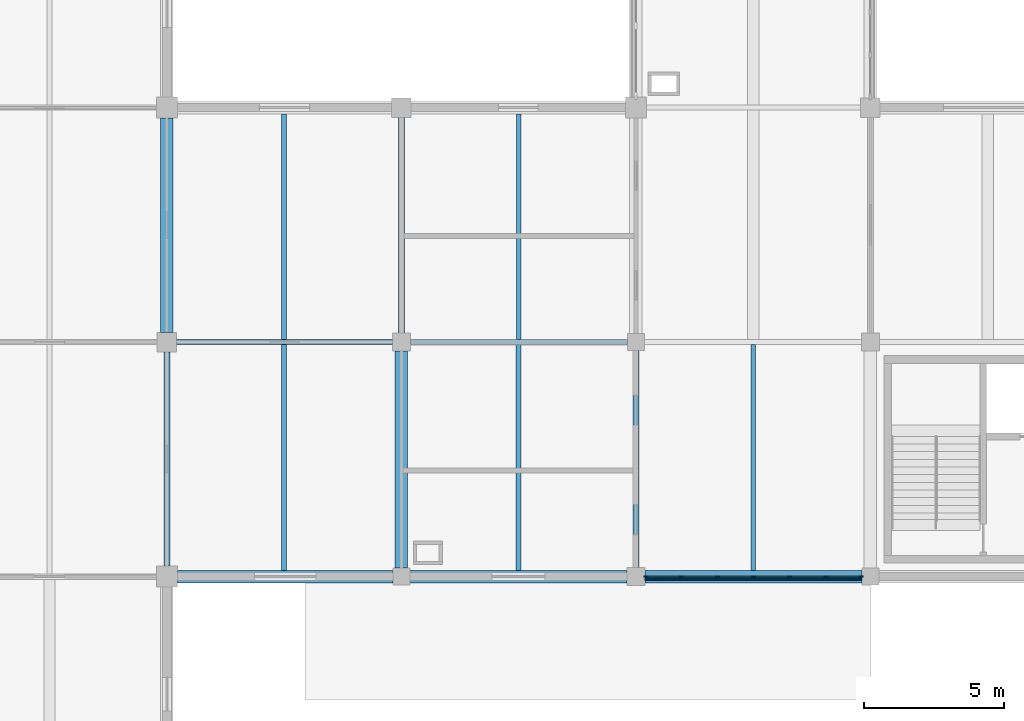
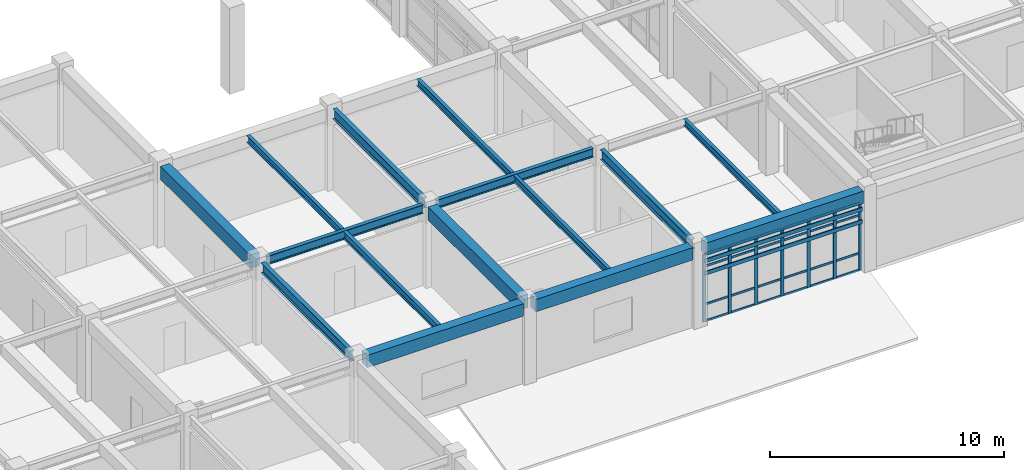
# One storey, part 5 of 78: 33 members, 15 beams, 1 element without a shape of its own.
"""IFC4 building model written with IfcOpenShell, lengths in metres."""

from ifc_helpers import new_model, si_unit, direction, frame, origin, origin_2d, place, context, subcontext, project, spatial, rectangle, i_section, extrude, material, layer, layer_set, material_profile, profile_set, type_object, element, aggregate, save


model = new_model("IFC4")

# Units and contexts
model_context = context("Model", 3, precision=1e-05, world=origin(), true_north=direction((0.0, 1.0)))
body_context = subcontext(model_context, "Body", "Model", "MODEL_VIEW")
ifc_project = project(units=[si_unit("LENGTHUNIT", "METRE"), si_unit("AREAUNIT", "SQUARE_METRE"), si_unit("VOLUMEUNIT", "CUBIC_METRE"), si_unit("PLANEANGLEUNIT", "RADIAN"), si_unit("MASSUNIT", "GRAM", prefix="KILO")], contexts=[model_context])

# Site, building, storey
site_placement = place(None, origin())
site = spatial("IfcSite", under=ifc_project, at=site_placement, CompositionType="ELEMENT")
building_placement = place(site_placement, origin())
building = spatial("IfcBuilding", under=site, at=building_placement, Name="Porcellanite Civic Hall", CompositionType="ELEMENT")
storey_placement = place(building_placement, frame((0.0, 0.0, 10.260009765625)))
storey = spatial("IfcBuildingStorey", under=building, at=storey_placement, Name="L02", CompositionType="ELEMENT", Elevation=10.260009765625)

# Beams
ifc_material_1 = material(Name="Concrete N50 (50 MPa)", Category="concrete")
ifc_material_profile_1 = material_profile(ifc_material_1, rectangle(XDim=0.449951171875, YDim=0.64990234375, at=origin_2d()), Name="RC-450x650")
ifc_profile_set_1 = profile_set([ifc_material_profile_1], Name="Concrete N50 (50 MPa)")
beam_type_1 = type_object("IfcBeamType", Name="BM-RC650", PredefinedType="SPANDREL", material=ifc_profile_set_1)
beam_1_placement = place(storey_placement, frame((33.974609375, 50.39990234375, 3.9150390625), z_axis=(1.0, 0.0, 0.0), x_axis=(0.0, 1.0, 0.0)))
element("IfcBeam", 1, at=beam_1_placement, inside=storey, type_object=beam_type_1, Name="Beam X L02 5-7", PredefinedType="SPANDREL", context=body_context, shape_type="SweptSolid", body=[
    extrude(rectangle(XDim=0.449951171875, YDim=0.64990234375, at=origin_2d()), origin(), (0.0, 0.0, 1.0), 7.725830078125),
])
for number, where, z_axis, x_axis, name in (
    (2, (42.299560546875, 50.39990234375, 3.9150390625), (1.0, 0.0, 0.0), (0.0, 1.0, 0.0), "Beam X L02 6-7"),
    (3, (50.724609375, 50.39990234375, 3.9150390625), (1.0, 0.0, 0.0), (0.0, 1.0, 0.0), "Beam X L02 7-7"),
):
    element("IfcBeam", number, at=place(storey_placement, frame(where, z_axis=z_axis, x_axis=x_axis)), inside=storey, type_object=beam_type_1, Name=name, PredefinedType="SPANDREL", context=body_context, shape_type="SweptSolid", body=[
        extrude(rectangle(XDim=0.449951171875, YDim=0.64990234375, at=origin_2d()), origin(), (0.0, 0.0, 1.0), 7.77587890625),
    ])
ifc_material_2 = material(Name="Concrete N50 (50 MPa)", Category="concrete")
ifc_material_profile_2 = material_profile(ifc_material_2, rectangle(XDim=0.449951171875, YDim=0.699951171875, at=origin_2d()), Name="RC-450x700")
ifc_profile_set_2 = profile_set([ifc_material_profile_2], Name="Concrete N50 (50 MPa)")
beam_type_2 = type_object("IfcBeamType", Name="BM-RC700", PredefinedType="BEAM", material=ifc_profile_set_2)
beam_2_placement = place(storey_placement, frame((33.60009765625, 59.1494140625, 3.889892578125), z_axis=(0.0, 1.0, 0.0), x_axis=(-1.0, 0.0, 0.0)))
element("IfcBeam", 4, at=beam_2_placement, inside=storey, type_object=beam_type_2, Name="Beam Y L02 5-8", PredefinedType="BEAM", context=body_context, shape_type="SweptSolid", body=[
    extrude(rectangle(XDim=0.449951171875, YDim=0.699951171875, at=origin_2d()), origin(), (0.0, 0.0, 1.0), 7.676025390625),
])
beam_3_placement = place(storey_placement, frame((42.0, 50.699462890625, 3.889892578125), z_axis=(0.0, 1.0, 0.0), x_axis=(-1.0, 0.0, 0.0)))
element("IfcBeam", 5, at=beam_3_placement, inside=storey, type_object=beam_type_2, Name="Beam Y L02 6-7", PredefinedType="BEAM", context=body_context, shape_type="SweptSolid", body=[
    extrude(rectangle(XDim=0.449951171875, YDim=0.699951171875, at=origin_2d()), origin(), (0.0, 0.0, 1.0), 7.776123046875),
])

# Curtain wall, members
ifc_material_3 = material(Name="Anodised aluminium and solar laminated glass", Category="aluminium")
ifc_layer = layer(ifc_material_3, 0.179931640625)
ifc_layer_set = layer_set([ifc_layer], Name="Anodised aluminium and solar laminated glass")
curtain_wall_type = type_object("IfcCurtainWallType", Name="CW-SYS07", PredefinedType="NOTDEFINED", material=ifc_layer_set)
curtain_wall_placement = place(storey_placement, origin())
curtain_wall = element("IfcCurtainWall", 6, at=curtain_wall_placement, inside=storey, type_object=curtain_wall_type, Name="Curtain wall CW-141", PredefinedType="NOTDEFINED")
ifc_material_4 = material(Name="Anodised aluminium 6063-T6", Category="aluminium")
ifc_material_profile_3 = material_profile(ifc_material_4, rectangle(XDim=0.06005859375, YDim=0.159912109375, at=origin_2d()), Name="AL-60x160")
ifc_profile_set_3 = profile_set([ifc_material_profile_3], Name="Anodised aluminium 6063-T6")
member_type_1 = type_object("IfcMemberType", Name="CWM-07", PredefinedType="MULLION", material=ifc_profile_set_3)
member_1_placement = place(storey_placement, frame((58.468994140625, 50.39990234375, 0.0), z_axis=(0.0, 0.0, 1.0), x_axis=(0.0, -1.0, 0.0)))
member_1 = element("IfcMember", 7, at=member_1_placement, type_object=member_type_1, Name="CW-141 mullion 1", PredefinedType="MULLION", context=body_context, shape_type="SweptSolid", body=[
    extrude(rectangle(XDim=0.06005859375, YDim=0.159912109375, at=origin_2d()), origin(), (0.0, 0.0, 1.0), 3.5400390625),
])
member_2_placement = place(storey_placement, frame((57.20361328125, 50.39990234375, 0.0), z_axis=(0.0, 0.0, 1.0), x_axis=(0.0, -1.0, 0.0)))
member_2 = element("IfcMember", 8, at=member_2_placement, type_object=member_type_1, Name="CW-141 mullion 2", PredefinedType="MULLION", context=body_context, shape_type="SweptSolid", body=[
    extrude(rectangle(XDim=0.06005859375, YDim=0.159912109375, at=origin_2d()), origin(), (0.0, 0.0, 1.0), 3.5400390625),
])
member_3_placement = place(storey_placement, frame((55.907958984375, 50.39990234375, 0.0), z_axis=(0.0, 0.0, 1.0), x_axis=(0.0, -1.0, 0.0)))
member_3 = element("IfcMember", 9, at=member_3_placement, type_object=member_type_1, Name="CW-141 mullion 3", PredefinedType="MULLION", context=body_context, shape_type="SweptSolid", body=[
    extrude(rectangle(XDim=0.06005859375, YDim=0.159912109375, at=origin_2d()), origin(), (0.0, 0.0, 1.0), 3.5400390625),
])
member_4_placement = place(storey_placement, frame((54.612548828125, 50.39990234375, 0.0), z_axis=(0.0, 0.0, 1.0), x_axis=(0.0, -1.0, 0.0)))
member_4 = element("IfcMember", 10, at=member_4_placement, type_object=member_type_1, Name="CW-141 mullion 4", PredefinedType="MULLION", context=body_context, shape_type="SweptSolid", body=[
    extrude(rectangle(XDim=0.06005859375, YDim=0.159912109375, at=origin_2d()), origin(), (0.0, 0.0, 1.0), 3.5400390625),
])
member_5_placement = place(storey_placement, frame((53.31689453125, 50.39990234375, 0.0), z_axis=(0.0, 0.0, 1.0), x_axis=(0.0, -1.0, 0.0)))
member_5 = element("IfcMember", 11, at=member_5_placement, type_object=member_type_1, Name="CW-141 mullion 5", PredefinedType="MULLION", context=body_context, shape_type="SweptSolid", body=[
    extrude(rectangle(XDim=0.06005859375, YDim=0.159912109375, at=origin_2d()), origin(), (0.0, 0.0, 1.0), 3.5400390625),
])
member_6_placement = place(storey_placement, frame((52.021484375, 50.39990234375, 0.0), z_axis=(0.0, 0.0, 1.0), x_axis=(0.0, -1.0, 0.0)))
member_6 = element("IfcMember", 12, at=member_6_placement, type_object=member_type_1, Name="CW-141 mullion 6", PredefinedType="MULLION", context=body_context, shape_type="SweptSolid", body=[
    extrude(rectangle(XDim=0.06005859375, YDim=0.159912109375, at=origin_2d()), origin(), (0.0, 0.0, 1.0), 3.5400390625),
])
member_7_placement = place(storey_placement, frame((50.756103515625, 50.39990234375, 0.0), z_axis=(0.0, 0.0, 1.0), x_axis=(0.0, -1.0, 0.0)))
member_7 = element("IfcMember", 13, at=member_7_placement, type_object=member_type_1, Name="CW-141 mullion 7", PredefinedType="MULLION", context=body_context, shape_type="SweptSolid", body=[
    extrude(rectangle(XDim=0.06005859375, YDim=0.159912109375, at=origin_2d()), origin(), (0.0, 0.0, 1.0), 3.5400390625),
])
ifc_material_5 = material(Name="Anodised aluminium 6063-T6", Category="aluminium")
ifc_material_profile_4 = material_profile(ifc_material_5, rectangle(XDim=0.050048828125, YDim=0.110107421875, at=origin_2d()), Name="AL-50x110")
ifc_profile_set_4 = profile_set([ifc_material_profile_4], Name="Anodised aluminium 6063-T6")
member_type_2 = type_object("IfcMemberType", Name="CWT-07", PredefinedType="USERDEFINED", material=ifc_profile_set_4)
member_8_placement = place(storey_placement, frame((58.43896484375, 50.39990234375, 0.02490234375), z_axis=(-1.0, 0.0, 0.0), x_axis=(0.0, -1.0, 0.0)))
member_8 = element("IfcMember", 14, at=member_8_placement, type_object=member_type_2, Name="CW-141 transom 1.1", ObjectType="TRANSOM", PredefinedType="USERDEFINED", context=body_context, shape_type="SweptSolid", body=[
    extrude(rectangle(XDim=0.050048828125, YDim=0.110107421875, at=origin_2d()), origin(), (0.0, 0.0, 1.0), 1.20556640625),
])
member_9_placement = place(storey_placement, frame((58.43896484375, 50.39990234375, 0.89990234375), z_axis=(-1.0, 0.0, 0.0), x_axis=(0.0, -1.0, 0.0)))
member_9 = element("IfcMember", 15, at=member_9_placement, type_object=member_type_2, Name="CW-141 transom 1.2", ObjectType="TRANSOM", PredefinedType="USERDEFINED", context=body_context, shape_type="SweptSolid", body=[
    extrude(rectangle(XDim=0.050048828125, YDim=0.110107421875, at=origin_2d()), origin(), (0.0, 0.0, 1.0), 1.20556640625),
])
member_10_placement = place(storey_placement, frame((58.43896484375, 50.39990234375, 2.889892578125), z_axis=(-1.0, 0.0, 0.0), x_axis=(0.0, -1.0, 0.0)))
member_10 = element("IfcMember", 16, at=member_10_placement, type_object=member_type_2, Name="CW-141 transom 1.3", ObjectType="TRANSOM", PredefinedType="USERDEFINED", context=body_context, shape_type="SweptSolid", body=[
    extrude(rectangle(XDim=0.050048828125, YDim=0.110107421875, at=origin_2d()), origin(), (0.0, 0.0, 1.0), 1.20556640625),
])
member_11_placement = place(storey_placement, frame((58.43896484375, 50.39990234375, 3.514892578125), z_axis=(-1.0, 0.0, 0.0), x_axis=(0.0, -1.0, 0.0)))
member_11 = element("IfcMember", 17, at=member_11_placement, type_object=member_type_2, Name="CW-141 transom 1.4", ObjectType="TRANSOM", PredefinedType="USERDEFINED", context=body_context, shape_type="SweptSolid", body=[
    extrude(rectangle(XDim=0.050048828125, YDim=0.110107421875, at=origin_2d()), origin(), (0.0, 0.0, 1.0), 1.20556640625),
])
member_12_placement = place(storey_placement, frame((57.173583984375, 50.39990234375, 0.02490234375), z_axis=(-1.0, 0.0, 0.0), x_axis=(0.0, -1.0, 0.0)))
member_12 = element("IfcMember", 18, at=member_12_placement, type_object=member_type_2, Name="CW-141 transom 2.1", ObjectType="TRANSOM", PredefinedType="USERDEFINED", context=body_context, shape_type="SweptSolid", body=[
    extrude(rectangle(XDim=0.050048828125, YDim=0.110107421875, at=origin_2d()), origin(), (0.0, 0.0, 1.0), 1.235595703125),
])
member_13_placement = place(storey_placement, frame((57.173583984375, 50.39990234375, 0.89990234375), z_axis=(-1.0, 0.0, 0.0), x_axis=(0.0, -1.0, 0.0)))
member_13 = element("IfcMember", 19, at=member_13_placement, type_object=member_type_2, Name="CW-141 transom 2.2", ObjectType="TRANSOM", PredefinedType="USERDEFINED", context=body_context, shape_type="SweptSolid", body=[
    extrude(rectangle(XDim=0.050048828125, YDim=0.110107421875, at=origin_2d()), origin(), (0.0, 0.0, 1.0), 1.235595703125),
])
member_14_placement = place(storey_placement, frame((57.173583984375, 50.39990234375, 2.889892578125), z_axis=(-1.0, 0.0, 0.0), x_axis=(0.0, -1.0, 0.0)))
member_14 = element("IfcMember", 20, at=member_14_placement, type_object=member_type_2, Name="CW-141 transom 2.3", ObjectType="TRANSOM", PredefinedType="USERDEFINED", context=body_context, shape_type="SweptSolid", body=[
    extrude(rectangle(XDim=0.050048828125, YDim=0.110107421875, at=origin_2d()), origin(), (0.0, 0.0, 1.0), 1.235595703125),
])
member_15_placement = place(storey_placement, frame((57.173583984375, 50.39990234375, 3.514892578125), z_axis=(-1.0, 0.0, 0.0), x_axis=(0.0, -1.0, 0.0)))
member_15 = element("IfcMember", 21, at=member_15_placement, type_object=member_type_2, Name="CW-141 transom 2.4", ObjectType="TRANSOM", PredefinedType="USERDEFINED", context=body_context, shape_type="SweptSolid", body=[
    extrude(rectangle(XDim=0.050048828125, YDim=0.110107421875, at=origin_2d()), origin(), (0.0, 0.0, 1.0), 1.235595703125),
])
member_16_placement = place(storey_placement, frame((55.8779296875, 50.39990234375, 0.02490234375), z_axis=(-1.0, 0.0, 0.0), x_axis=(0.0, -1.0, 0.0)))
member_16 = element("IfcMember", 22, at=member_16_placement, type_object=member_type_2, Name="CW-141 transom 3.1", ObjectType="TRANSOM", PredefinedType="USERDEFINED", context=body_context, shape_type="SweptSolid", body=[
    extrude(rectangle(XDim=0.050048828125, YDim=0.110107421875, at=origin_2d()), origin(), (0.0, 0.0, 1.0), 1.2353515625),
])
member_17_placement = place(storey_placement, frame((55.8779296875, 50.39990234375, 0.89990234375), z_axis=(-1.0, 0.0, 0.0), x_axis=(0.0, -1.0, 0.0)))
member_17 = element("IfcMember", 23, at=member_17_placement, type_object=member_type_2, Name="CW-141 transom 3.2", ObjectType="TRANSOM", PredefinedType="USERDEFINED", context=body_context, shape_type="SweptSolid", body=[
    extrude(rectangle(XDim=0.050048828125, YDim=0.110107421875, at=origin_2d()), origin(), (0.0, 0.0, 1.0), 1.2353515625),
])
member_18_placement = place(storey_placement, frame((55.8779296875, 50.39990234375, 2.889892578125), z_axis=(-1.0, 0.0, 0.0), x_axis=(0.0, -1.0, 0.0)))
member_18 = element("IfcMember", 24, at=member_18_placement, type_object=member_type_2, Name="CW-141 transom 3.3", ObjectType="TRANSOM", PredefinedType="USERDEFINED", context=body_context, shape_type="SweptSolid", body=[
    extrude(rectangle(XDim=0.050048828125, YDim=0.110107421875, at=origin_2d()), origin(), (0.0, 0.0, 1.0), 1.2353515625),
])
member_19_placement = place(storey_placement, frame((55.8779296875, 50.39990234375, 3.514892578125), z_axis=(-1.0, 0.0, 0.0), x_axis=(0.0, -1.0, 0.0)))
member_19 = element("IfcMember", 25, at=member_19_placement, type_object=member_type_2, Name="CW-141 transom 3.4", ObjectType="TRANSOM", PredefinedType="USERDEFINED", context=body_context, shape_type="SweptSolid", body=[
    extrude(rectangle(XDim=0.050048828125, YDim=0.110107421875, at=origin_2d()), origin(), (0.0, 0.0, 1.0), 1.2353515625),
])
member_20_placement = place(storey_placement, frame((54.58251953125, 50.39990234375, 0.02490234375), z_axis=(-1.0, 0.0, 0.0), x_axis=(0.0, -1.0, 0.0)))
member_20 = element("IfcMember", 26, at=member_20_placement, type_object=member_type_2, Name="CW-141 transom 4.1", ObjectType="TRANSOM", PredefinedType="USERDEFINED", context=body_context, shape_type="SweptSolid", body=[
    extrude(rectangle(XDim=0.050048828125, YDim=0.110107421875, at=origin_2d()), origin(), (0.0, 0.0, 1.0), 1.235595703125),
])
member_21_placement = place(storey_placement, frame((54.58251953125, 50.39990234375, 0.89990234375), z_axis=(-1.0, 0.0, 0.0), x_axis=(0.0, -1.0, 0.0)))
member_21 = element("IfcMember", 27, at=member_21_placement, type_object=member_type_2, Name="CW-141 transom 4.2", ObjectType="TRANSOM", PredefinedType="USERDEFINED", context=body_context, shape_type="SweptSolid", body=[
    extrude(rectangle(XDim=0.050048828125, YDim=0.110107421875, at=origin_2d()), origin(), (0.0, 0.0, 1.0), 1.235595703125),
])
member_22_placement = place(storey_placement, frame((54.58251953125, 50.39990234375, 2.889892578125), z_axis=(-1.0, 0.0, 0.0), x_axis=(0.0, -1.0, 0.0)))
member_22 = element("IfcMember", 28, at=member_22_placement, type_object=member_type_2, Name="CW-141 transom 4.3", ObjectType="TRANSOM", PredefinedType="USERDEFINED", context=body_context, shape_type="SweptSolid", body=[
    extrude(rectangle(XDim=0.050048828125, YDim=0.110107421875, at=origin_2d()), origin(), (0.0, 0.0, 1.0), 1.235595703125),
])
member_23_placement = place(storey_placement, frame((54.58251953125, 50.39990234375, 3.514892578125), z_axis=(-1.0, 0.0, 0.0), x_axis=(0.0, -1.0, 0.0)))
member_23 = element("IfcMember", 29, at=member_23_placement, type_object=member_type_2, Name="CW-141 transom 4.4", ObjectType="TRANSOM", PredefinedType="USERDEFINED", context=body_context, shape_type="SweptSolid", body=[
    extrude(rectangle(XDim=0.050048828125, YDim=0.110107421875, at=origin_2d()), origin(), (0.0, 0.0, 1.0), 1.235595703125),
])
member_24_placement = place(storey_placement, frame((53.287109375, 50.39990234375, 0.02490234375), z_axis=(-1.0, 0.0, 0.0), x_axis=(0.0, -1.0, 0.0)))
member_24 = element("IfcMember", 30, at=member_24_placement, type_object=member_type_2, Name="CW-141 transom 5.1", ObjectType="TRANSOM", PredefinedType="USERDEFINED", context=body_context, shape_type="SweptSolid", body=[
    extrude(rectangle(XDim=0.050048828125, YDim=0.110107421875, at=origin_2d()), origin(), (0.0, 0.0, 1.0), 1.235595703125),
])
member_25_placement = place(storey_placement, frame((53.287109375, 50.39990234375, 0.89990234375), z_axis=(-1.0, 0.0, 0.0), x_axis=(0.0, -1.0, 0.0)))
member_25 = element("IfcMember", 31, at=member_25_placement, type_object=member_type_2, Name="CW-141 transom 5.2", ObjectType="TRANSOM", PredefinedType="USERDEFINED", context=body_context, shape_type="SweptSolid", body=[
    extrude(rectangle(XDim=0.050048828125, YDim=0.110107421875, at=origin_2d()), origin(), (0.0, 0.0, 1.0), 1.235595703125),
])
member_26_placement = place(storey_placement, frame((53.287109375, 50.39990234375, 2.889892578125), z_axis=(-1.0, 0.0, 0.0), x_axis=(0.0, -1.0, 0.0)))
member_26 = element("IfcMember", 32, at=member_26_placement, type_object=member_type_2, Name="CW-141 transom 5.3", ObjectType="TRANSOM", PredefinedType="USERDEFINED", context=body_context, shape_type="SweptSolid", body=[
    extrude(rectangle(XDim=0.050048828125, YDim=0.110107421875, at=origin_2d()), origin(), (0.0, 0.0, 1.0), 1.235595703125),
])
member_27_placement = place(storey_placement, frame((53.287109375, 50.39990234375, 3.514892578125), z_axis=(-1.0, 0.0, 0.0), x_axis=(0.0, -1.0, 0.0)))
member_27 = element("IfcMember", 33, at=member_27_placement, type_object=member_type_2, Name="CW-141 transom 5.4", ObjectType="TRANSOM", PredefinedType="USERDEFINED", context=body_context, shape_type="SweptSolid", body=[
    extrude(rectangle(XDim=0.050048828125, YDim=0.110107421875, at=origin_2d()), origin(), (0.0, 0.0, 1.0), 1.235595703125),
])
member_28_placement = place(storey_placement, frame((51.991455078125, 50.39990234375, 0.02490234375), z_axis=(-1.0, 0.0, 0.0), x_axis=(0.0, -1.0, 0.0)))
member_28 = element("IfcMember", 34, at=member_28_placement, type_object=member_type_2, Name="CW-141 transom 6.1", ObjectType="TRANSOM", PredefinedType="USERDEFINED", context=body_context, shape_type="SweptSolid", body=[
    extrude(rectangle(XDim=0.050048828125, YDim=0.110107421875, at=origin_2d()), origin(), (0.0, 0.0, 1.0), 1.20556640625),
])
member_29_placement = place(storey_placement, frame((51.991455078125, 50.39990234375, 0.89990234375), z_axis=(-1.0, 0.0, 0.0), x_axis=(0.0, -1.0, 0.0)))
member_29 = element("IfcMember", 35, at=member_29_placement, type_object=member_type_2, Name="CW-141 transom 6.2", ObjectType="TRANSOM", PredefinedType="USERDEFINED", context=body_context, shape_type="SweptSolid", body=[
    extrude(rectangle(XDim=0.050048828125, YDim=0.110107421875, at=origin_2d()), origin(), (0.0, 0.0, 1.0), 1.20556640625),
])
member_30_placement = place(storey_placement, frame((51.991455078125, 50.39990234375, 2.889892578125), z_axis=(-1.0, 0.0, 0.0), x_axis=(0.0, -1.0, 0.0)))
member_30 = element("IfcMember", 36, at=member_30_placement, type_object=member_type_2, Name="CW-141 transom 6.3", ObjectType="TRANSOM", PredefinedType="USERDEFINED", context=body_context, shape_type="SweptSolid", body=[
    extrude(rectangle(XDim=0.050048828125, YDim=0.110107421875, at=origin_2d()), origin(), (0.0, 0.0, 1.0), 1.20556640625),
])
member_31_placement = place(storey_placement, frame((51.991455078125, 50.39990234375, 3.514892578125), z_axis=(-1.0, 0.0, 0.0), x_axis=(0.0, -1.0, 0.0)))
member_31 = element("IfcMember", 37, at=member_31_placement, type_object=member_type_2, Name="CW-141 transom 6.4", ObjectType="TRANSOM", PredefinedType="USERDEFINED", context=body_context, shape_type="SweptSolid", body=[
    extrude(rectangle(XDim=0.050048828125, YDim=0.110107421875, at=origin_2d()), origin(), (0.0, 0.0, 1.0), 1.20556640625),
])
aggregate(curtain_wall, [member_1, member_2, member_3, member_4, member_5, member_6, member_7, member_8, member_9, member_10, member_11, member_12, member_13, member_14, member_15, member_16, member_17, member_18, member_19, member_20, member_21, member_22, member_23, member_24, member_25, member_26, member_27, member_28, member_29, member_30, member_31])

# Beams
ifc_material_6 = material(Name="Steel Grade 350", Category="steel")
ifc_material_profile_5 = material_profile(ifc_material_6, i_section(OverallWidth=0.1708984375, OverallDepth=0.35595703125, WebThickness=0.00732421875, FlangeThickness=0.011474609375, FilletRadius=0.011474609375, at=origin_2d()), Name="360UB50.7")
ifc_profile_set_5 = profile_set([ifc_material_profile_5], Name="Steel Grade 350")
beam_type_3 = type_object("IfcBeamType", Name="JST-360UB51", PredefinedType="JOIST", material=ifc_profile_set_5)
for number, where, z_axis, x_axis, name in (
    (38, (46.199951171875, 58.89453125, 4.06201171875), (0.0, 1.0, 0.0), (-1.0, 0.0, 0.0), "Secondary joist L02 6-8"),
    (39, (54.60009765625, 50.62451171875, 4.06201171875), (0.0, 1.0, 0.0), (-1.0, 0.0, 0.0), "Secondary joist L02 7-7"),
):
    element("IfcBeam", number, at=place(storey_placement, frame(where, z_axis=z_axis, x_axis=x_axis)), inside=storey, type_object=beam_type_3, Name=name, PredefinedType="JOIST", context=body_context, shape_type="SweptSolid", body=[
        extrude(i_section(OverallWidth=0.1708984375, OverallDepth=0.35595703125, WebThickness=0.00732421875, FlangeThickness=0.011474609375, FilletRadius=0.011474609375, at=origin_2d()), origin(), (0.0, 0.0, 1.0), 8.0810546875),
    ])
ifc_material_7 = material(Name="Steel Grade 350", Category="steel")
ifc_material_profile_6 = material_profile(ifc_material_7, i_section(OverallWidth=0.172119140625, OverallDepth=0.35888671875, WebThickness=0.008056640625, FlangeThickness=0.012939453125, FilletRadius=0.011474609375, at=origin_2d()), Name="360UB56.7")
ifc_profile_set_6 = profile_set([ifc_material_profile_6], Name="Steel Grade 350")
beam_type_4 = type_object("IfcBeamType", Name="JST-360UB57", PredefinedType="JOIST", material=ifc_profile_set_6)
for number, where, z_axis, x_axis, name in (
    (40, (37.800048828125, 58.89453125, 4.060546875), (0.0, 1.0, 0.0), (-1.0, 0.0, 0.0), "Secondary joist L02 5-8"),
    (41, (46.199951171875, 50.62451171875, 4.060546875), (0.0, 1.0, 0.0), (-1.0, 0.0, 0.0), "Secondary joist L02 6-7"),
):
    element("IfcBeam", number, at=place(storey_placement, frame(where, z_axis=z_axis, x_axis=x_axis)), inside=storey, type_object=beam_type_4, Name=name, PredefinedType="JOIST", context=body_context, shape_type="SweptSolid", body=[
        extrude(i_section(OverallWidth=0.172119140625, OverallDepth=0.35888671875, WebThickness=0.008056640625, FlangeThickness=0.012939453125, FilletRadius=0.011474609375, at=origin_2d()), origin(), (0.0, 0.0, 1.0), 8.0810546875),
    ])
ifc_material_8 = material(Name="Steel Grade 350", Category="steel")
ifc_material_profile_7 = material_profile(ifc_material_8, i_section(OverallWidth=0.177978515625, OverallDepth=0.403076171875, WebThickness=0.007568359375, FlangeThickness=0.010986328125, FilletRadius=0.011474609375, at=origin_2d()), Name="410UB53.7")
ifc_profile_set_7 = profile_set([ifc_material_profile_7], Name="Steel Grade 350")
beam_type_5 = type_object("IfcBeamType", Name="JST-410UB54", PredefinedType="JOIST", material=ifc_profile_set_7)
beam_4_placement = place(storey_placement, frame((37.800048828125, 50.62451171875, 4.03857421875), z_axis=(0.0, 1.0, 0.0), x_axis=(-1.0, 0.0, 0.0)))
element("IfcBeam", 42, at=beam_4_placement, inside=storey, type_object=beam_type_5, Name="Secondary joist L02 5-7", PredefinedType="JOIST", context=body_context, shape_type="SweptSolid", body=[
    extrude(i_section(OverallWidth=0.177978515625, OverallDepth=0.403076171875, WebThickness=0.007568359375, FlangeThickness=0.010986328125, FilletRadius=0.011474609375, at=origin_2d()), origin(), (0.0, 0.0, 1.0), 8.0810546875),
])

# Members
ifc_material_9 = material(Name="Fluoropolymer bauxite-red aluminium 6063-T6", Category="aluminium")
ifc_material_profile_8 = material_profile(ifc_material_9, rectangle(XDim=0.050048828125, YDim=0.199951171875, at=origin_2d()), Name="AL-50x200")
ifc_profile_set_8 = profile_set([ifc_material_profile_8], Name="Fluoropolymer bauxite-red aluminium 6063-T6")
member_type_3 = type_object("IfcMemberType", Name="LV-BLD10", PredefinedType="USERDEFINED", material=ifc_profile_set_8)
for number, where, z_axis, x_axis, name in (
    (43, (58.50048828125, 50.29296875, 3.239990234375), (-1.0, 0.0, 0.0), (0.0, -1.0, 0.0), "Cyclone sunshade louvre L02 S 6-6 1"),
    (44, (58.50048828125, 50.29296875, 2.590087890625), (-1.0, 0.0, 0.0), (0.0, -1.0, 0.0), "Cyclone sunshade louvre L02 S 6-6 2"),
):
    element("IfcMember", number, at=place(storey_placement, frame(where, z_axis=z_axis, x_axis=x_axis)), inside=storey, type_object=member_type_3, Name=name, ObjectType="LOUVRE BLADE", PredefinedType="USERDEFINED", context=body_context, shape_type="SweptSolid", body=[
        extrude(rectangle(XDim=0.050048828125, YDim=0.199951171875, at=origin_2d()), origin(), (0.0, 0.0, 1.0), 7.77587890625),
    ])

# Beams
ifc_material_10 = material(Name="Steel Grade 350", Category="steel")
ifc_material_profile_9 = material_profile(ifc_material_10, i_section(OverallWidth=0.18994140625, OverallDepth=0.4541015625, WebThickness=0.008544921875, FlangeThickness=0.0126953125, FilletRadius=0.011474609375, at=origin_2d()), Name="460UB67.1")
ifc_profile_set_9 = profile_set([ifc_material_profile_9], Name="Steel Grade 350")
beam_type_6 = type_object("IfcBeamType", Name="RAF-460UB67", PredefinedType="BEAM", material=ifc_profile_set_9)
beam_5_placement = place(storey_placement, frame((33.949462890625, 58.800048828125, 4.012939453125), z_axis=(1.0, 0.0, 0.0), x_axis=(0.0, 1.0, 0.0)))
element("IfcBeam", 45, at=beam_5_placement, inside=storey, type_object=beam_type_6, Name="Beam X L02 5-8", PredefinedType="BEAM", context=body_context, shape_type="SweptSolid", body=[
    extrude(i_section(OverallWidth=0.18994140625, OverallDepth=0.4541015625, WebThickness=0.008544921875, FlangeThickness=0.0126953125, FilletRadius=0.011474609375, at=origin_2d()), origin(), (0.0, 0.0, 1.0), 7.72607421875),
])
beam_6_placement = place(storey_placement, frame((42.324462890625, 58.800048828125, 4.012939453125), z_axis=(1.0, 0.0, 0.0), x_axis=(0.0, 1.0, 0.0)))
element("IfcBeam", 46, at=beam_6_placement, inside=storey, type_object=beam_type_6, Name="Beam X L02 6-8", PredefinedType="BEAM", context=body_context, shape_type="SweptSolid", body=[
    extrude(i_section(OverallWidth=0.18994140625, OverallDepth=0.4541015625, WebThickness=0.008544921875, FlangeThickness=0.0126953125, FilletRadius=0.011474609375, at=origin_2d()), origin(), (0.0, 0.0, 1.0), 7.776123046875),
])
ifc_material_11 = material(Name="Steel Grade 350", Category="steel")
ifc_material_profile_10 = material_profile(ifc_material_11, i_section(OverallWidth=0.208984375, OverallDepth=0.528076171875, WebThickness=0.009521484375, FlangeThickness=0.01318359375, FilletRadius=0.013916015625, at=origin_2d()), Name="530UB82.0")
ifc_profile_set_10 = profile_set([ifc_material_profile_10], Name="Steel Grade 350")
beam_type_7 = type_object("IfcBeamType", Name="RAF-530UB82", PredefinedType="BEAM", material=ifc_profile_set_10)
beam_7_placement = place(storey_placement, frame((33.60009765625, 50.7744140625, 3.97607421875), z_axis=(0.0, 1.0, 0.0), x_axis=(-1.0, 0.0, 0.0)))
element("IfcBeam", 47, at=beam_7_placement, inside=storey, type_object=beam_type_7, Name="Beam Y L02 5-7", PredefinedType="BEAM", context=body_context, shape_type="SweptSolid", body=[
    extrude(i_section(OverallWidth=0.208984375, OverallDepth=0.528076171875, WebThickness=0.009521484375, FlangeThickness=0.01318359375, FilletRadius=0.013916015625, at=origin_2d()), origin(), (0.0, 0.0, 1.0), 7.676025390625),
])
beam_8_placement = place(storey_placement, frame((42.0, 59.12451171875, 3.97607421875), z_axis=(0.0, 1.0, 0.0), x_axis=(-1.0, 0.0, 0.0)))
element("IfcBeam", 48, at=beam_8_placement, inside=storey, type_object=beam_type_7, Name="Beam Y L02 6-8", PredefinedType="BEAM", context=body_context, shape_type="SweptSolid", body=[
    extrude(i_section(OverallWidth=0.208984375, OverallDepth=0.528076171875, WebThickness=0.009521484375, FlangeThickness=0.01318359375, FilletRadius=0.013916015625, at=origin_2d()), origin(), (0.0, 0.0, 1.0), 7.72607421875),
])
beam_9_placement = place(storey_placement, frame((50.39990234375, 50.724609375, 3.97607421875), z_axis=(0.0, 1.0, 0.0), x_axis=(-1.0, 0.0, 0.0)))
element("IfcBeam", 49, at=beam_9_placement, inside=storey, type_object=beam_type_7, Name="Beam Y L02 7-7", PredefinedType="BEAM", context=body_context, shape_type="SweptSolid", body=[
    extrude(i_section(OverallWidth=0.208984375, OverallDepth=0.528076171875, WebThickness=0.009521484375, FlangeThickness=0.01318359375, FilletRadius=0.013916015625, at=origin_2d()), origin(), (0.0, 0.0, 1.0), 7.77587890625),
])

save(model, "model.ifc")
